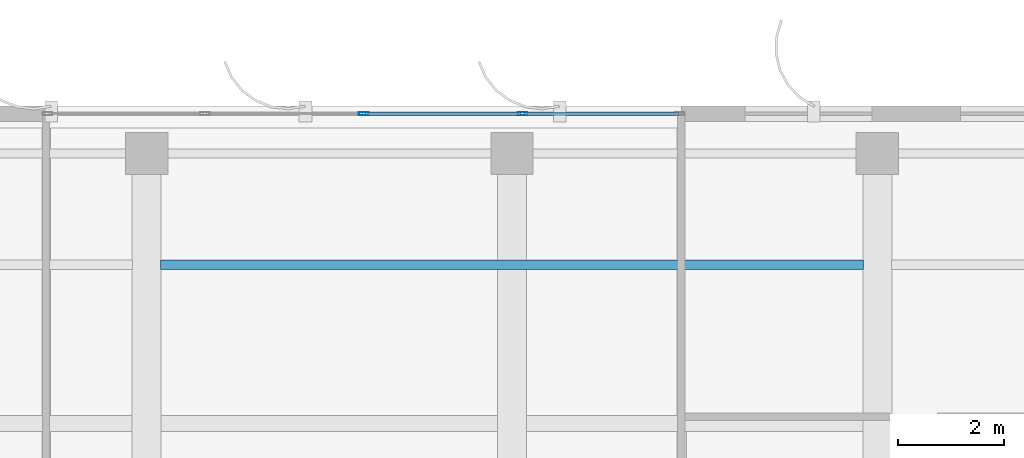
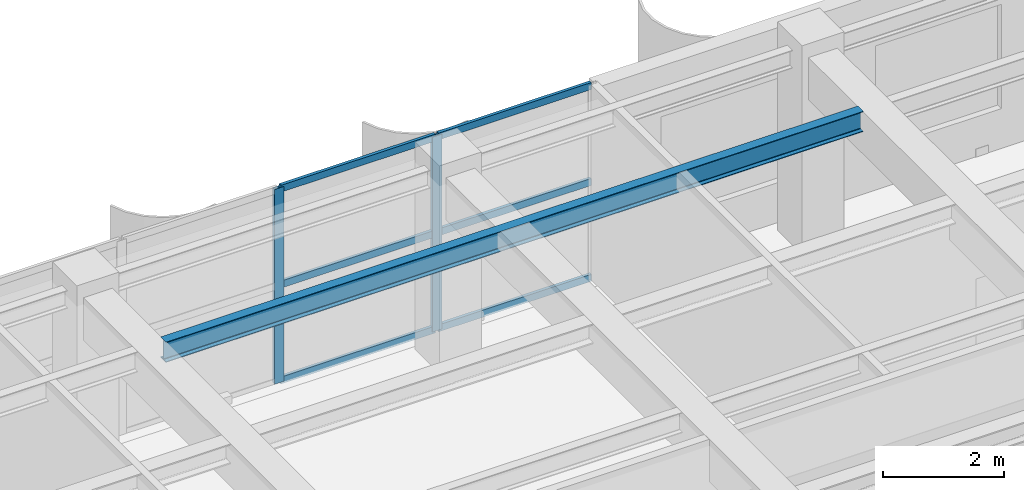
# One storey, part 17 of 26: 8 members, 1 beam, 1 element without a shape of its own.
"""IFC4 building model written with IfcOpenShell, lengths in metres."""

from ifc_helpers import new_model, si_unit, direction, frame, origin, origin_2d, place, context, subcontext, project, spatial, hollow_rectangle, i_section, extrude, source, transform, mapped, material, layer, layer_set, material_profile, profile_set, type_object, element, aggregate, save


model = new_model("IFC4")

# Units and contexts
model_context = context("Model", 3, precision=1e-05, world=origin(), true_north=direction((0.0, 1.0)))
body_context = subcontext(model_context, "Body", "Model", "MODEL_VIEW")
ifc_project = project(units=[si_unit("LENGTHUNIT", "METRE"), si_unit("AREAUNIT", "SQUARE_METRE"), si_unit("VOLUMEUNIT", "CUBIC_METRE"), si_unit("PLANEANGLEUNIT", "RADIAN"), si_unit("MASSUNIT", "GRAM", prefix="KILO")], contexts=[model_context])

# Site, building, storey
site_placement = place(None, origin())
site = spatial("IfcSite", under=ifc_project, at=site_placement, CompositionType="ELEMENT")
building_placement = place(site_placement, origin())
building = spatial("IfcBuilding", under=site, at=building_placement, Name="Khoralis Quay Care Tower", CompositionType="ELEMENT")
storey_placement = place(building_placement, frame((0.0, 0.0, 289.5)))
storey = spatial("IfcBuildingStorey", under=building, at=storey_placement, Name="L76", CompositionType="ELEMENT", Elevation=289.5)

# Beam
ifc_material_1 = material(Name="Steel S355", Category="steel")
ifc_material_profile_1 = material_profile(ifc_material_1, i_section(OverallWidth=0.177978515625, OverallDepth=0.406982421875, WebThickness=0.0078125, FlangeThickness=0.0126953125, FilletRadius=0.012939453125, at=origin_2d()), Name="Steel S355")
ifc_profile_set_1 = profile_set([ifc_material_profile_1], Name="Steel S355")
beam_type = type_object("IfcBeamType", Name="BM-W410X60", PredefinedType="JOIST", material=ifc_profile_set_1)
shared_shape_1 = source(origin(), body_context, "Body", "SweptSolid", [
    extrude(i_section(OverallWidth=0.177978515625, OverallDepth=0.406982421875, WebThickness=0.0078125, FlangeThickness=0.0126953125, FilletRadius=0.012939453125, at=origin_2d()), origin(), (0.0, 0.0, 1.0), 13.27392578125),
])
beam_placement = place(storey_placement, frame((17.363037109375, 39.0, 3.716552734375), z_axis=(1.0, 0.0, 0.0), x_axis=(0.0, 1.0, 0.0)))
element("IfcBeam", 1, at=beam_placement, inside=storey, type_object=beam_type, Name="BM-TJS-L76-29", PredefinedType="JOIST", context=body_context, shape_type="MappedRepresentation", body=[
    mapped(shared_shape_1, transform((0.0, 0.0, 0.0), scale=1.0)),
])

# Curtain wall, members
ifc_material_2 = material(Name="Pale anodised aluminium", Category="aluminium")
ifc_layer = layer(ifc_material_2, 0.159912109375)
ifc_layer_set = layer_set([ifc_layer], Name="Pale anodised aluminium")
curtain_wall_type = type_object("IfcCurtainWallType", Name="CW-SYS-Z3", PredefinedType="NOTDEFINED", material=ifc_layer_set)
curtain_wall_placement = place(storey_placement, origin())
curtain_wall = element("IfcCurtainWall", 2, at=curtain_wall_placement, inside=storey, type_object=curtain_wall_type, Name="L76 Unitised Curtain Wall CW-L76-P1-E10", PredefinedType="NOTDEFINED")
ifc_material_profile_2 = material_profile(ifc_material_2, hollow_rectangle(XDim=0.06494140625, YDim=0.179931640625, WallThickness=0.00390625, at=origin_2d()), Name="Pale anodised aluminium")
ifc_profile_set_2 = profile_set([ifc_material_profile_2], Name="Pale anodised aluminium")
member_type_1 = type_object("IfcMemberType", Name="CW-MUL-180", PredefinedType="MULLION", material=ifc_profile_set_2)
shared_shape_2 = source(origin(), body_context, "Body", "SweptSolid", [
    extrude(hollow_rectangle(XDim=0.06494140625, YDim=0.179931640625, WallThickness=0.00390625, at=origin_2d()), origin(), (0.0, 0.0, 1.0), 3.919921875),
])
member_1_placement = place(storey_placement, frame((24.199951171875, 41.85009765625, 0.0), z_axis=(0.0, 0.0, 1.0), x_axis=(0.0, -1.0, 0.0)))
member_1 = element("IfcMember", 3, at=member_1_placement, type_object=member_type_1, Name="CW3 mullion 2", PredefinedType="MULLION", context=body_context, shape_type="MappedRepresentation", body=[
    mapped(shared_shape_2, transform((0.0, 0.0, 0.0), scale=1.0)),
])
member_2_placement = place(storey_placement, frame((21.199951171875, 41.85009765625, 0.0), z_axis=(0.0, 0.0, 1.0), x_axis=(0.0, -1.0, 0.0)))
member_2 = element("IfcMember", 4, at=member_2_placement, type_object=member_type_1, Name="CW3 mullion 3", PredefinedType="MULLION", context=body_context, shape_type="MappedRepresentation", body=[
    mapped(shared_shape_2, transform((0.0, 0.0, 0.0), scale=1.0)),
])
ifc_material_profile_3 = material_profile(ifc_material_2, hollow_rectangle(XDim=0.06005859375, YDim=0.139892578125, WallThickness=0.00390625, at=origin_2d()), Name="Pale anodised aluminium")
ifc_profile_set_3 = profile_set([ifc_material_profile_3], Name="Pale anodised aluminium")
member_type_2 = type_object("IfcMemberType", Name="CW-TRN-140", PredefinedType="USERDEFINED", material=ifc_profile_set_3)
shared_shape_3 = source(origin(), body_context, "Body", "SweptSolid", [
    extrude(hollow_rectangle(XDim=0.06005859375, YDim=0.139892578125, WallThickness=0.00390625, at=origin_2d()), origin(), (0.0, 0.0, 1.0), 2.909912109375),
])
member_3_placement = place(storey_placement, frame((27.139892578125, 41.85009765625, 0.030029296875), z_axis=(-1.0, 0.0, 0.0), x_axis=(0.0, -1.0, 0.0)))
member_3 = element("IfcMember", 5, at=member_3_placement, type_object=member_type_2, Name="CW3 transom 1.1", ObjectType="TRANSOM", PredefinedType="USERDEFINED", context=body_context, shape_type="MappedRepresentation", body=[
    mapped(shared_shape_3, transform((0.0, 0.0, 0.0), scale=1.0)),
])
member_4_placement = place(storey_placement, frame((27.139892578125, 41.85009765625, 1.9599609375), z_axis=(-1.0, 0.0, 0.0), x_axis=(0.0, -1.0, 0.0)))
member_4 = element("IfcMember", 6, at=member_4_placement, type_object=member_type_2, Name="CW3 transom 1.2", ObjectType="TRANSOM", PredefinedType="USERDEFINED", context=body_context, shape_type="MappedRepresentation", body=[
    mapped(shared_shape_3, transform((0.0, 0.0, 0.0), scale=1.0)),
])
member_5_placement = place(storey_placement, frame((27.139892578125, 41.85009765625, 3.889892578125), z_axis=(-1.0, 0.0, 0.0), x_axis=(0.0, -1.0, 0.0)))
member_5 = element("IfcMember", 7, at=member_5_placement, type_object=member_type_2, Name="CW3 transom 1.3", ObjectType="TRANSOM", PredefinedType="USERDEFINED", context=body_context, shape_type="MappedRepresentation", body=[
    mapped(shared_shape_3, transform((0.0, 0.0, 0.0), scale=1.0)),
])
shared_shape_4 = source(origin(), body_context, "Body", "SweptSolid", [
    extrude(hollow_rectangle(XDim=0.06005859375, YDim=0.139892578125, WallThickness=0.00390625, at=origin_2d()), origin(), (0.0, 0.0, 1.0), 2.93994140625),
])
member_6_placement = place(storey_placement, frame((24.169921875, 41.85009765625, 0.030029296875), z_axis=(-1.0, 0.0, 0.0), x_axis=(0.0, -1.0, 0.0)))
member_6 = element("IfcMember", 8, at=member_6_placement, type_object=member_type_2, Name="CW3 transom 2.1", ObjectType="TRANSOM", PredefinedType="USERDEFINED", context=body_context, shape_type="MappedRepresentation", body=[
    mapped(shared_shape_4, transform((0.0, 0.0, 0.0), scale=1.0)),
])
member_7_placement = place(storey_placement, frame((24.169921875, 41.85009765625, 1.9599609375), z_axis=(-1.0, 0.0, 0.0), x_axis=(0.0, -1.0, 0.0)))
member_7 = element("IfcMember", 9, at=member_7_placement, type_object=member_type_2, Name="CW3 transom 2.2", ObjectType="TRANSOM", PredefinedType="USERDEFINED", context=body_context, shape_type="MappedRepresentation", body=[
    mapped(shared_shape_4, transform((0.0, 0.0, 0.0), scale=1.0)),
])
member_8_placement = place(storey_placement, frame((24.169921875, 41.85009765625, 3.889892578125), z_axis=(-1.0, 0.0, 0.0), x_axis=(0.0, -1.0, 0.0)))
member_8 = element("IfcMember", 10, at=member_8_placement, type_object=member_type_2, Name="CW3 transom 2.3", ObjectType="TRANSOM", PredefinedType="USERDEFINED", context=body_context, shape_type="MappedRepresentation", body=[
    mapped(shared_shape_4, transform((0.0, 0.0, 0.0), scale=1.0)),
])
aggregate(curtain_wall, [member_1, member_2, member_3, member_4, member_5, member_6, member_7, member_8])

save(model, "model.ifc")
